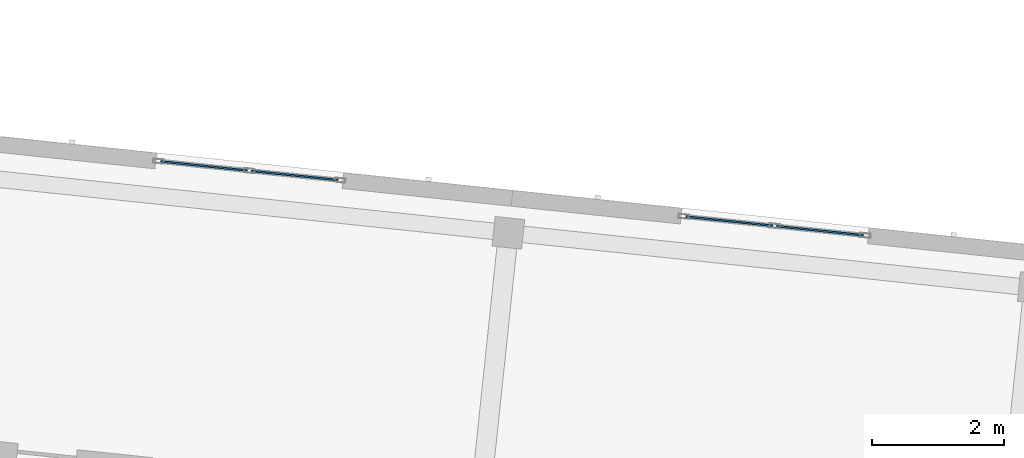
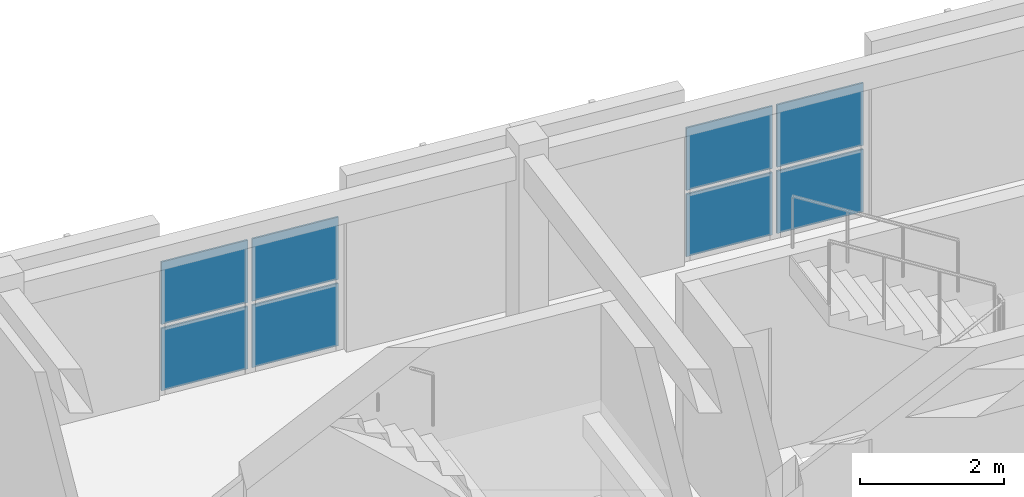
# One storey, part 10 of 34: 8 plates, 2 elements without a shape of their own.
"""IFC4 building model written with IfcOpenShell, lengths in metres."""

from ifc_helpers import new_model, si_unit, direction, frame, origin, origin_2d, place, context, subcontext, project, spatial, rectangle, extrude, material, layer, layer_set, type_object, element, aggregate, save


model = new_model("IFC4")

# Units and contexts
model_context = context("Model", 3, precision=1e-05, world=origin(), true_north=direction((0.0, 1.0)))
body_context = subcontext(model_context, "Body", "Model", "MODEL_VIEW")
ifc_project = project(units=[si_unit("LENGTHUNIT", "METRE"), si_unit("AREAUNIT", "SQUARE_METRE"), si_unit("VOLUMEUNIT", "CUBIC_METRE"), si_unit("PLANEANGLEUNIT", "RADIAN"), si_unit("MASSUNIT", "GRAM", prefix="KILO")], contexts=[model_context])

# Site, building, storey
site_placement = place(None, origin())
site = spatial("IfcSite", under=ifc_project, at=site_placement, CompositionType="ELEMENT")
building_placement = place(site_placement, origin())
building = spatial("IfcBuilding", under=site, at=building_placement, Name="Kestramere Prow Commons", CompositionType="ELEMENT")
storey_placement = place(building_placement, frame((0.0, 0.0, 34.39990234375)))
storey = spatial("IfcBuildingStorey", under=building, at=storey_placement, Name="L10", CompositionType="ELEMENT", Elevation=34.39990234375)

# Curtain wall, plates
ifc_material_1 = material(Name="Anodised Aluminium and Low-E Glass", Category="aluminium")
curtain_wall_type = type_object("IfcCurtainWallType", Name="CW-03 Glazed Curtain Wall 2830x2320", PredefinedType="USERDEFINED", material=ifc_material_1)
curtain_wall_1_placement = place(storey_placement, origin())
curtain_wall_1 = element("IfcCurtainWall", 1, at=curtain_wall_1_placement, inside=storey, type_object=curtain_wall_type, Name="Block B L10 Stairwell Vertical Glazing 4", ObjectType="GLAZED CURTAIN WALL", PredefinedType="USERDEFINED")
ifc_material_2 = material(Name="Low-E Laminated Double Glazing", Category="glass")
ifc_layer = layer(ifc_material_2, 0.028076171875)
ifc_layer_set = layer_set([ifc_layer], Name="Low-E Laminated Double Glazing")
plate_type = type_object("IfcPlateType", Name="CW-PNL-28", PredefinedType="CURTAIN_PANEL", material=ifc_layer_set)
plate_1_placement = place(storey_placement, frame((139.2626953125, 111.960205078125, 0.065185546875), z_axis=(0.0, 0.0, 1.0), x_axis=(0.994521879016, -0.104528618845, 0.0)))
plate_1 = element("IfcPlate", 2, at=plate_1_placement, type_object=plate_type, Name="CW-03 panel 1.1", PredefinedType="CURTAIN_PANEL", context=body_context, shape_type="SweptSolid", body=[
    extrude(rectangle(XDim=1.3173828125, YDim=0.028076171875, at=origin_2d()), origin(), (0.0, 0.0, 1.0), 1.0625),
])
plate_2_placement = place(storey_placement, frame((139.2626953125, 111.960205078125, 1.192626953125), z_axis=(0.0, 0.0, 1.0), x_axis=(0.994521879016, -0.104528618845, 0.0)))
plate_2 = element("IfcPlate", 3, at=plate_2_placement, type_object=plate_type, Name="CW-03 panel 1.2", PredefinedType="CURTAIN_PANEL", context=body_context, shape_type="SweptSolid", body=[
    extrude(rectangle(XDim=1.3173828125, YDim=0.028076171875, at=origin_2d()), origin(), (0.0, 0.0, 1.0), 1.0625),
])
plate_3_placement = place(storey_placement, frame((140.6376953125, 111.815673828125, 0.065185546875), z_axis=(0.0, 0.0, 1.0), x_axis=(0.994521879016, -0.104528618845, 0.0)))
plate_3 = element("IfcPlate", 4, at=plate_3_placement, type_object=plate_type, Name="CW-03 panel 2.1", PredefinedType="CURTAIN_PANEL", context=body_context, shape_type="SweptSolid", body=[
    extrude(rectangle(XDim=1.3173828125, YDim=0.028076171875, at=origin_2d()), origin(), (0.0, 0.0, 1.0), 1.0625),
])
plate_4_placement = place(storey_placement, frame((140.6376953125, 111.815673828125, 1.192626953125), z_axis=(0.0, 0.0, 1.0), x_axis=(0.994521879016, -0.104528618845, 0.0)))
plate_4 = element("IfcPlate", 5, at=plate_4_placement, type_object=plate_type, Name="CW-03 panel 2.2", PredefinedType="CURTAIN_PANEL", context=body_context, shape_type="SweptSolid", body=[
    extrude(rectangle(XDim=1.3173828125, YDim=0.028076171875, at=origin_2d()), origin(), (0.0, 0.0, 1.0), 1.0625),
])
aggregate(curtain_wall_1, [plate_1, plate_2, plate_3, plate_4])

curtain_wall_2_placement = place(storey_placement, origin())
curtain_wall_2 = element("IfcCurtainWall", 6, at=curtain_wall_2_placement, inside=storey, type_object=curtain_wall_type, Name="Block B L10 Stairwell Vertical Glazing 5", ObjectType="GLAZED CURTAIN WALL", PredefinedType="USERDEFINED")
plate_5_placement = place(storey_placement, frame((147.218994140625, 111.1240234375, 0.065185546875), z_axis=(0.0, 0.0, 1.0), x_axis=(0.99452191575, -0.104528269348, 0.0)))
plate_5 = element("IfcPlate", 7, at=plate_5_placement, type_object=plate_type, Name="CW-03 panel 1.1", PredefinedType="CURTAIN_PANEL", context=body_context, shape_type="SweptSolid", body=[
    extrude(rectangle(XDim=1.3173828125, YDim=0.028076171875, at=origin_2d()), origin(), (0.0, 0.0, 1.0), 1.0625),
])
plate_6_placement = place(storey_placement, frame((147.218994140625, 111.1240234375, 1.192626953125), z_axis=(0.0, 0.0, 1.0), x_axis=(0.99452191575, -0.104528269348, 0.0)))
plate_6 = element("IfcPlate", 8, at=plate_6_placement, type_object=plate_type, Name="CW-03 panel 1.2", PredefinedType="CURTAIN_PANEL", context=body_context, shape_type="SweptSolid", body=[
    extrude(rectangle(XDim=1.3173828125, YDim=0.028076171875, at=origin_2d()), origin(), (0.0, 0.0, 1.0), 1.0625),
])
plate_7_placement = place(storey_placement, frame((148.593994140625, 110.9794921875, 0.065185546875), z_axis=(0.0, 0.0, 1.0), x_axis=(0.99452191575, -0.104528269348, 0.0)))
plate_7 = element("IfcPlate", 9, at=plate_7_placement, type_object=plate_type, Name="CW-03 panel 2.1", PredefinedType="CURTAIN_PANEL", context=body_context, shape_type="SweptSolid", body=[
    extrude(rectangle(XDim=1.3173828125, YDim=0.028076171875, at=origin_2d()), origin(), (0.0, 0.0, 1.0), 1.0625),
])
plate_8_placement = place(storey_placement, frame((148.593994140625, 110.9794921875, 1.192626953125), z_axis=(0.0, 0.0, 1.0), x_axis=(0.99452191575, -0.104528269348, 0.0)))
plate_8 = element("IfcPlate", 10, at=plate_8_placement, type_object=plate_type, Name="CW-03 panel 2.2", PredefinedType="CURTAIN_PANEL", context=body_context, shape_type="SweptSolid", body=[
    extrude(rectangle(XDim=1.3173828125, YDim=0.028076171875, at=origin_2d()), origin(), (0.0, 0.0, 1.0), 1.0625),
])
aggregate(curtain_wall_2, [plate_5, plate_6, plate_7, plate_8])

save(model, "model.ifc")
